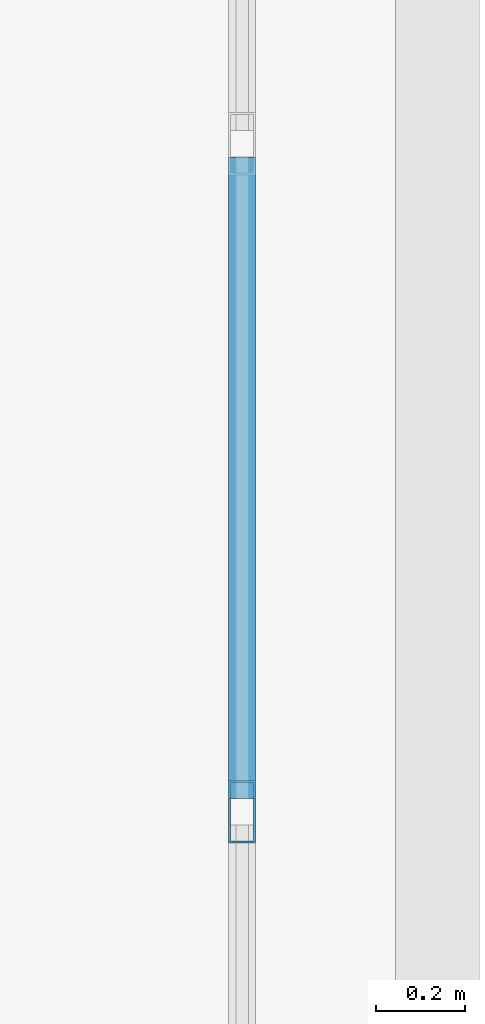
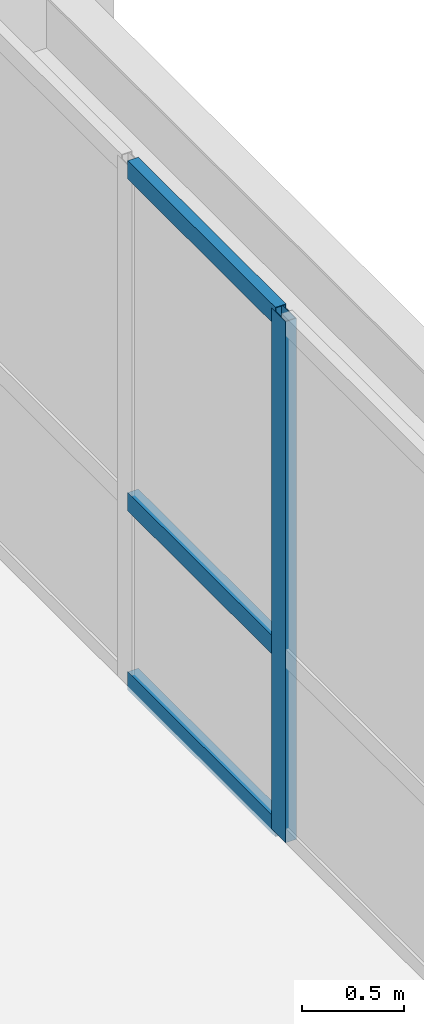
# One storey, part 103 of 200: 4 members, 1 element without a shape of its own.
"""IFC4 building model written with IfcOpenShell, lengths in metres."""

from ifc_helpers import new_model, si_unit, direction, frame, origin, origin_2d, place, context, subcontext, project, spatial, hollow_rectangle, extrude, material, layer, layer_set, material_profile, profile_set, type_object, element, aggregate, save


model = new_model("IFC4")

# Units and contexts
model_context = context("Model", 3, precision=1e-05, world=origin(), true_north=direction((0.0, 1.0)))
body_context = subcontext(model_context, "Body", "Model", "MODEL_VIEW")
ifc_project = project(units=[si_unit("LENGTHUNIT", "METRE"), si_unit("AREAUNIT", "SQUARE_METRE"), si_unit("VOLUMEUNIT", "CUBIC_METRE"), si_unit("PLANEANGLEUNIT", "RADIAN"), si_unit("MASSUNIT", "GRAM", prefix="KILO")], contexts=[model_context])

# Site, building, storey
site_placement = place(None, origin())
site = spatial("IfcSite", under=ifc_project, at=site_placement, CompositionType="ELEMENT")
building_placement = place(site_placement, origin())
building = spatial("IfcBuilding", under=site, at=building_placement, Name="Trelvath General Hospital", CompositionType="ELEMENT")
storey_placement = place(building_placement, frame((0.0, 0.0, 4.800048828125)))
storey = spatial("IfcBuildingStorey", under=building, at=storey_placement, Name="L01", CompositionType="ELEMENT", Elevation=4.800048828125)

# Curtain wall, members
ifc_material_1 = material(Name="Anodised aluminium and low-E glass", Category="aluminium")
ifc_layer = layer(ifc_material_1, 0.139892578125)
ifc_layer_set = layer_set([ifc_layer], Name="Anodised aluminium and low-E glass")
curtain_wall_type = type_object("IfcCurtainWallType", Name="CW Bridge 752 311", PredefinedType="USERDEFINED", material=ifc_layer_set)
curtain_wall_placement = place(storey_placement, origin())
curtain_wall = element("IfcCurtainWall", 1, at=curtain_wall_placement, inside=storey, type_object=curtain_wall_type, Name="Glazed Bridge Curtain Wall BRG-N-C E L01", ObjectType="Unitised Glazed Curtain Wall", PredefinedType="USERDEFINED")
ifc_material_2 = material(Name="Anodised aluminium", Category="aluminium")
ifc_material_profile_1 = material_profile(ifc_material_2, hollow_rectangle(XDim=0.06005859375, YDim=0.139892578125, WallThickness=0.00390625, at=origin_2d()), Name="RHS60x140x4")
ifc_profile_set_1 = profile_set([ifc_material_profile_1], Name="Anodised aluminium")
member_type_1 = type_object("IfcMemberType", Name="CurtainMullion 60x140", PredefinedType="MULLION", material=ifc_profile_set_1)
member_1_placement = place(storey_placement, frame((83.56005859375, 80.552001953125, 0.0), z_axis=(0.0, 0.0, 1.0), x_axis=(1.0, 0.0, 0.0)))
member_1 = element("IfcMember", 2, at=member_1_placement, type_object=member_type_1, Name="CW-175 mullion 3", PredefinedType="MULLION", context=body_context, shape_type="SweptSolid", body=[
    extrude(hollow_rectangle(XDim=0.06005859375, YDim=0.139892578125, WallThickness=0.00390625, at=origin_2d()), origin(), (0.0, 0.0, 1.0), 3.10986328125),
])
ifc_material_3 = material(Name="Anodised aluminium", Category="aluminium")
ifc_material_profile_2 = material_profile(ifc_material_3, hollow_rectangle(XDim=0.06005859375, YDim=0.110107421875, WallThickness=0.00390625, at=origin_2d()), Name="RHS60x110x4")
ifc_profile_set_2 = profile_set([ifc_material_profile_2], Name="Anodised aluminium")
member_type_2 = type_object("IfcMemberType", Name="CurtainTransom 60x110", PredefinedType="USERDEFINED", material=ifc_profile_set_2)
member_2_placement = place(storey_placement, frame((83.56005859375, 82.02587890625, 0.030029296875), z_axis=(0.0, -1.0, 0.0), x_axis=(1.0, 0.0, 0.0)))
member_2 = element("IfcMember", 3, at=member_2_placement, type_object=member_type_2, Name="CW-175 transom 2.1", ObjectType="TRANSOM", PredefinedType="USERDEFINED", context=body_context, shape_type="SweptSolid", body=[
    extrude(hollow_rectangle(XDim=0.06005859375, YDim=0.110107421875, WallThickness=0.00390625, at=origin_2d()), origin(), (0.0, 0.0, 1.0), 1.44384765625),
])
member_3_placement = place(storey_placement, frame((83.56005859375, 82.02587890625, 1.099853515625), z_axis=(0.0, -1.0, 0.0), x_axis=(1.0, 0.0, 0.0)))
member_3 = element("IfcMember", 4, at=member_3_placement, type_object=member_type_2, Name="CW-175 transom 2.2", ObjectType="TRANSOM", PredefinedType="USERDEFINED", context=body_context, shape_type="SweptSolid", body=[
    extrude(hollow_rectangle(XDim=0.06005859375, YDim=0.110107421875, WallThickness=0.00390625, at=origin_2d()), origin(), (0.0, 0.0, 1.0), 1.44384765625),
])
member_4_placement = place(storey_placement, frame((83.56005859375, 82.02587890625, 3.079833984375), z_axis=(0.0, -1.0, 0.0), x_axis=(1.0, 0.0, 0.0)))
member_4 = element("IfcMember", 5, at=member_4_placement, type_object=member_type_2, Name="CW-175 transom 2.3", ObjectType="TRANSOM", PredefinedType="USERDEFINED", context=body_context, shape_type="SweptSolid", body=[
    extrude(hollow_rectangle(XDim=0.06005859375, YDim=0.110107421875, WallThickness=0.00390625, at=origin_2d()), origin(), (0.0, 0.0, 1.0), 1.44384765625),
])
aggregate(curtain_wall, [member_1, member_2, member_3, member_4])

save(model, "model.ifc")
